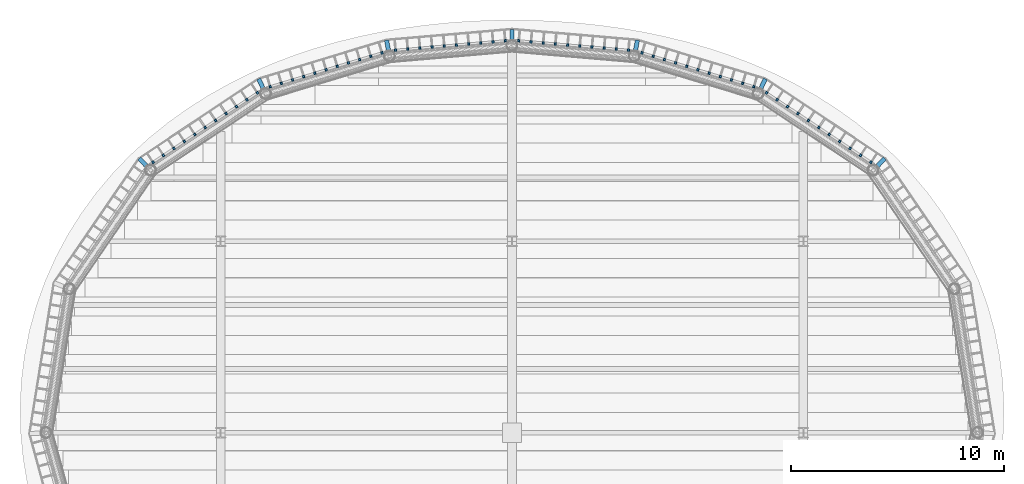
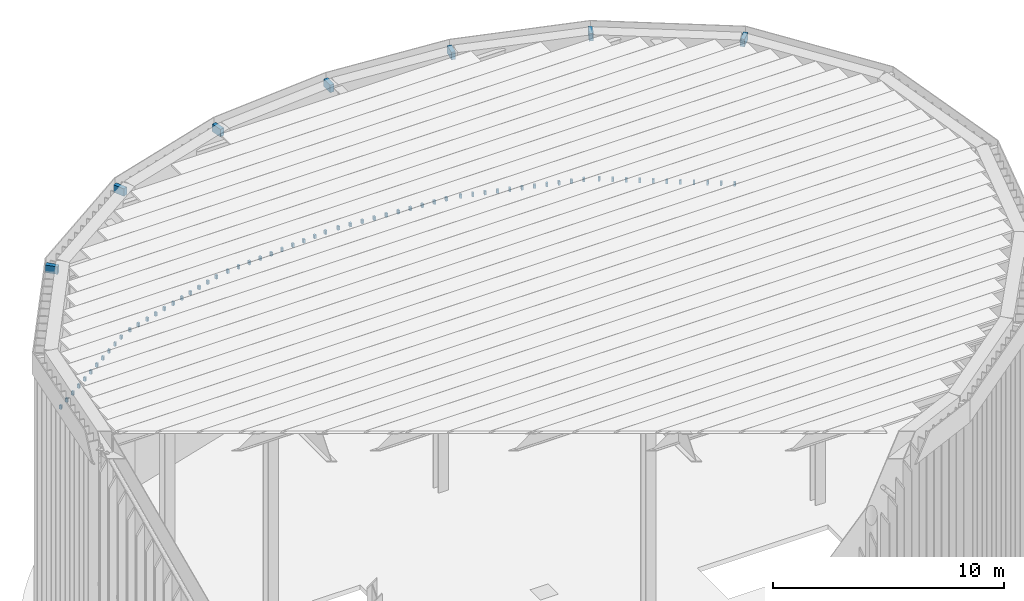
# One storey, part 8 of 11: 71 discrete accessories.
"""IFC4 building model written with IfcOpenShell, lengths in metres."""

from ifc_helpers import new_model, si_unit, direction, frame, origin, origin_2d, place, context, subcontext, project, spatial, rectangle, extrude, material, type_object, element, save


model = new_model("IFC4")

# Units and contexts
model_context = context("Model", 3, precision=1e-05, world=origin(), true_north=direction((0.0, 1.0)))
body_context = subcontext(model_context, "Body", "Model", "MODEL_VIEW")
ifc_project = project(units=[si_unit("LENGTHUNIT", "METRE"), si_unit("AREAUNIT", "SQUARE_METRE"), si_unit("VOLUMEUNIT", "CUBIC_METRE"), si_unit("PLANEANGLEUNIT", "RADIAN"), si_unit("MASSUNIT", "GRAM", prefix="KILO")], contexts=[model_context])

# Site, building, storey
site_placement = place(None, origin())
site = spatial("IfcSite", under=ifc_project, at=site_placement, CompositionType="ELEMENT")
building_placement = place(site_placement, origin())
building = spatial("IfcBuilding", under=site, at=building_placement, Name="Marramba Exchange Tower", CompositionType="ELEMENT")
storey_placement = place(building_placement, frame((0.0, 0.0, 282.0)))
storey = spatial("IfcBuildingStorey", under=building, at=storey_placement, Name="Roof crown", CompositionType="ELEMENT", Elevation=282.0)

# Discrete accessories
ifc_material = material(Name="Steel bracket, hot-dip galvanised", Category="steel")
discrete_accessory_type_1 = type_object("IfcDiscreteAccessoryType", Name="CROWN CAP PANEL BRACKET 200x400", PredefinedType="BRACKET", material=ifc_material)
discrete_accessory_1_placement = place(storey_placement, frame((17.329833984375, 12.689453125, 15.300048828125), z_axis=(0.0, 0.0, 1.0), x_axis=(0.702468932962, 0.711714407767, 0.0)))
element("IfcDiscreteAccessory", 1, at=discrete_accessory_1_placement, inside=storey, type_object=discrete_accessory_type_1, Name="Crown cap panel bracket CB2 at post CF03", PredefinedType="BRACKET", context=body_context, shape_type="SweptSolid", body=[
    extrude(rectangle(XDim=0.568359375, YDim=0.199951171875, at=origin_2d()), origin(), (0.0, 0.0, 1.0), 0.39990234375),
])
discrete_accessory_2_placement = place(storey_placement, frame((11.788818359375, 16.379638671875, 15.300048828125), z_axis=(0.0, 0.0, 1.0), x_axis=(0.426919119296, 0.904289812825, 0.0)))
element("IfcDiscreteAccessory", 2, at=discrete_accessory_2_placement, inside=storey, type_object=discrete_accessory_type_1, Name="Crown cap panel bracket CB2 at post CF04", PredefinedType="BRACKET", context=body_context, shape_type="SweptSolid", body=[
    extrude(rectangle(XDim=0.56494140625, YDim=0.199951171875, at=origin_2d()), origin(), (0.0, 0.0, 1.0), 0.39990234375),
])
discrete_accessory_3_placement = place(storey_placement, frame((5.84521484375, 18.182861328125, 15.300048828125), z_axis=(0.0, 0.0, 1.0), x_axis=(0.189096059973, 0.981958593884, 0.0)))
element("IfcDiscreteAccessory", 3, at=discrete_accessory_3_placement, inside=storey, type_object=discrete_accessory_type_1, Name="Crown cap panel bracket CB2 at post CF05", PredefinedType="BRACKET", context=body_context, shape_type="SweptSolid", body=[
    extrude(rectangle(XDim=0.5625, YDim=0.199951171875, at=origin_2d()), origin(), (0.0, 0.0, 1.0), 0.39990234375),
])
discrete_accessory_4_placement = place(storey_placement, frame((0.0, 18.68603515625, 15.300048828125), z_axis=(0.0, 0.0, 1.0), x_axis=(0.0, 1.0, 0.0)))
element("IfcDiscreteAccessory", 4, at=discrete_accessory_4_placement, inside=storey, type_object=discrete_accessory_type_1, Name="Crown cap panel bracket CB2 at post CF06", PredefinedType="BRACKET", context=body_context, shape_type="SweptSolid", body=[
    extrude(rectangle(XDim=0.561767578125, YDim=0.199951171875, at=origin_2d()), origin(), (0.0, 0.0, 1.0), 0.39990234375),
])
discrete_accessory_5_placement = place(storey_placement, frame((-5.84521484375, 18.182861328125, 15.300048828125), z_axis=(0.0, 0.0, 1.0), x_axis=(-0.189096059973, 0.981958593884, 0.0)))
element("IfcDiscreteAccessory", 5, at=discrete_accessory_5_placement, inside=storey, type_object=discrete_accessory_type_1, Name="Crown cap panel bracket CB2 at post CF07", PredefinedType="BRACKET", context=body_context, shape_type="SweptSolid", body=[
    extrude(rectangle(XDim=0.5625, YDim=0.199951171875, at=origin_2d()), origin(), (0.0, 0.0, 1.0), 0.39990234375),
])
discrete_accessory_6_placement = place(storey_placement, frame((-11.788818359375, 16.379638671875, 15.300048828125), z_axis=(0.0, 0.0, 1.0), x_axis=(-0.426919119296, 0.904289812825, 0.0)))
element("IfcDiscreteAccessory", 6, at=discrete_accessory_6_placement, inside=storey, type_object=discrete_accessory_type_1, Name="Crown cap panel bracket CB2 at post CF08", PredefinedType="BRACKET", context=body_context, shape_type="SweptSolid", body=[
    extrude(rectangle(XDim=0.56494140625, YDim=0.199951171875, at=origin_2d()), origin(), (0.0, 0.0, 1.0), 0.39990234375),
])
discrete_accessory_7_placement = place(storey_placement, frame((-17.329833984375, 12.689453125, 15.300048828125), z_axis=(0.0, 0.0, 1.0), x_axis=(-0.702468932962, 0.711714407767, 0.0)))
element("IfcDiscreteAccessory", 7, at=discrete_accessory_7_placement, inside=storey, type_object=discrete_accessory_type_1, Name="Crown cap panel bracket CB2 at post CF09", PredefinedType="BRACKET", context=body_context, shape_type="SweptSolid", body=[
    extrude(rectangle(XDim=0.568359375, YDim=0.199951171875, at=origin_2d()), origin(), (0.0, 0.0, 1.0), 0.39990234375),
])
discrete_accessory_type_2 = type_object("IfcDiscreteAccessoryType", Name="CROWN SCREEN FIN BRACKET 100x200", PredefinedType="BRACKET", material=ifc_material)
for number, where, z_axis, x_axis, name in (
    (8, (16.87548828125, 12.716552734375, 7.89990234375), (0.0, 0.0, 1.0), (-0.832289090092, 0.554341835435, 0.0), "Crown screen fin bracket CB1 bay 03 fin 01"),
    (9, (16.385009765625, 13.043212890625, 7.89990234375), (0.0, 0.0, 1.0), (-0.832289090092, 0.554341835435, 0.0), "Crown screen fin bracket CB1 bay 03 fin 02"),
    (10, (15.89453125, 13.369873046875, 7.89990234375), (0.0, 0.0, 1.0), (-0.832289090092, 0.554341835435, 0.0), "Crown screen fin bracket CB1 bay 03 fin 03"),
    (11, (15.404052734375, 13.696533203125, 7.89990234375), (0.0, 0.0, 1.0), (-0.832289090092, 0.554341835435, 0.0), "Crown screen fin bracket CB1 bay 03 fin 04"),
    (12, (14.91357421875, 14.0234375, 7.89990234375), (0.0, 0.0, 1.0), (-0.832289090092, 0.554341835435, 0.0), "Crown screen fin bracket CB1 bay 03 fin 05"),
    (13, (14.423095703125, 14.35009765625, 7.89990234375), (0.0, 0.0, 1.0), (-0.832289090092, 0.554341835435, 0.0), "Crown screen fin bracket CB1 bay 03 fin 06"),
    (14, (13.9326171875, 14.6767578125, 7.89990234375), (0.0, 0.0, 1.0), (-0.832289090092, 0.554341835435, 0.0), "Crown screen fin bracket CB1 bay 03 fin 07"),
    (15, (13.442138671875, 15.00341796875, 7.89990234375), (0.0, 0.0, 1.0), (-0.832289090092, 0.554341835435, 0.0), "Crown screen fin bracket CB1 bay 03 fin 08"),
    (16, (12.951416015625, 15.330078125, 7.89990234375), (0.0, 0.0, 1.0), (-0.832289090092, 0.554341835435, 0.0), "Crown screen fin bracket CB1 bay 03 fin 09"),
    (17, (12.4609375, 15.65673828125, 7.89990234375), (0.0, 0.0, 1.0), (-0.832289090092, 0.554341835435, 0.0), "Crown screen fin bracket CB1 bay 03 fin 10"),
    (18, (11.970458984375, 15.9833984375, 7.89990234375), (0.0, 0.0, 1.0), (-0.832289090092, 0.554341835435, 0.0), "Crown screen fin bracket CB1 bay 03 fin 11"),
    (19, (11.367431640625, 16.268310546875, 7.89990234375), (0.0, 0.0, 1.0), (-0.956920052504, 0.29035153369, 0.0), "Crown screen fin bracket CB1 bay 04 fin 01"),
    (20, (10.842041015625, 16.427734375, 7.89990234375), (0.0, 0.0, 1.0), (-0.956920052504, 0.29035153369, 0.0), "Crown screen fin bracket CB1 bay 04 fin 02"),
    (21, (10.316650390625, 16.587158203125, 7.89990234375), (0.0, 0.0, 1.0), (-0.956920052504, 0.29035153369, 0.0), "Crown screen fin bracket CB1 bay 04 fin 03"),
    (22, (9.791259765625, 16.746337890625, 7.89990234375), (0.0, 0.0, 1.0), (-0.956920052504, 0.29035153369, 0.0), "Crown screen fin bracket CB1 bay 04 fin 04"),
    (23, (9.26611328125, 16.90576171875, 7.89990234375), (0.0, 0.0, 1.0), (-0.956920052504, 0.29035153369, 0.0), "Crown screen fin bracket CB1 bay 04 fin 05"),
    (24, (8.74072265625, 17.065185546875, 7.89990234375), (0.0, 0.0, 1.0), (-0.956920052504, 0.29035153369, 0.0), "Crown screen fin bracket CB1 bay 04 fin 06"),
    (25, (8.21533203125, 17.224609375, 7.89990234375), (0.0, 0.0, 1.0), (-0.956920052504, 0.29035153369, 0.0), "Crown screen fin bracket CB1 bay 04 fin 07"),
    (26, (7.68994140625, 17.384033203125, 7.89990234375), (0.0, 0.0, 1.0), (-0.956920052504, 0.29035153369, 0.0), "Crown screen fin bracket CB1 bay 04 fin 08"),
    (27, (7.16455078125, 17.54345703125, 7.89990234375), (0.0, 0.0, 1.0), (-0.956920052504, 0.29035153369, 0.0), "Crown screen fin bracket CB1 bay 04 fin 09"),
    (28, (6.639404296875, 17.702880859375, 7.89990234375), (0.0, 0.0, 1.0), (-0.956920052504, 0.29035153369, 0.0), "Crown screen fin bracket CB1 bay 04 fin 10"),
    (29, (6.114013671875, 17.8623046875, 7.89990234375), (0.0, 0.0, 1.0), (-0.956920052504, 0.29035153369, 0.0), "Crown screen fin bracket CB1 bay 04 fin 11"),
    (30, (5.4765625, 17.985107421875, 7.89990234375), (0.0, 0.0, 1.0), (-0.996313819025, 0.085783296854, 0.0), "Crown screen fin bracket CB1 bay 05 fin 01"),
    (31, (4.903564453125, 18.034423828125, 7.89990234375), (0.0, 0.0, 1.0), (-0.996313819025, 0.085783296854, 0.0), "Crown screen fin bracket CB1 bay 05 fin 02"),
    (32, (4.330810546875, 18.083740234375, 7.89990234375), (0.0, 0.0, 1.0), (-0.996313819025, 0.085783296854, 0.0), "Crown screen fin bracket CB1 bay 05 fin 03"),
    (33, (3.7578125, 18.133056640625, 7.89990234375), (0.0, 0.0, 1.0), (-0.996313819025, 0.085783296854, 0.0), "Crown screen fin bracket CB1 bay 05 fin 04"),
    (34, (3.18505859375, 18.182373046875, 7.89990234375), (0.0, 0.0, 1.0), (-0.996313819025, 0.085783296854, 0.0), "Crown screen fin bracket CB1 bay 05 fin 05"),
    (35, (2.612060546875, 18.231689453125, 7.89990234375), (0.0, 0.0, 1.0), (-0.996313819025, 0.085783296854, 0.0), "Crown screen fin bracket CB1 bay 05 fin 06"),
    (36, (2.0390625, 18.281005859375, 7.89990234375), (0.0, 0.0, 1.0), (-0.996313819025, 0.085783296854, 0.0), "Crown screen fin bracket CB1 bay 05 fin 07"),
    (37, (1.46630859375, 18.330322265625, 7.89990234375), (0.0, 0.0, 1.0), (-0.996313819025, 0.085783296854, 0.0), "Crown screen fin bracket CB1 bay 05 fin 08"),
    (38, (0.893310546875, 18.379638671875, 7.89990234375), (0.0, 0.0, 1.0), (-0.996313819025, 0.085783296854, 0.0), "Crown screen fin bracket CB1 bay 05 fin 09"),
    (39, (0.320556640625, 18.428955078125, 7.89990234375), (0.0, 0.0, 1.0), (-0.996313819025, 0.085783296854, 0.0), "Crown screen fin bracket CB1 bay 05 fin 10"),
    (40, (-0.320556640625, 18.428955078125, 7.89990234375), (0.0, 0.0, 1.0), (-0.996313819025, -0.085783296854, 0.0), "Crown screen fin bracket CB1 bay 06 fin 01"),
    (41, (-0.893310546875, 18.379638671875, 7.89990234375), (0.0, 0.0, 1.0), (-0.996313819025, -0.085783296854, 0.0), "Crown screen fin bracket CB1 bay 06 fin 02"),
    (42, (-1.46630859375, 18.330322265625, 7.89990234375), (0.0, 0.0, 1.0), (-0.996313819025, -0.085783296854, 0.0), "Crown screen fin bracket CB1 bay 06 fin 03"),
    (43, (-2.0390625, 18.281005859375, 7.89990234375), (0.0, 0.0, 1.0), (-0.996313819025, -0.085783296854, 0.0), "Crown screen fin bracket CB1 bay 06 fin 04"),
    (44, (-2.612060546875, 18.231689453125, 7.89990234375), (0.0, 0.0, 1.0), (-0.996313819025, -0.085783296854, 0.0), "Crown screen fin bracket CB1 bay 06 fin 05"),
    (45, (-3.18505859375, 18.182373046875, 7.89990234375), (0.0, 0.0, 1.0), (-0.996313819025, -0.085783296854, 0.0), "Crown screen fin bracket CB1 bay 06 fin 06"),
    (46, (-3.7578125, 18.133056640625, 7.89990234375), (0.0, 0.0, 1.0), (-0.996313819025, -0.085783296854, 0.0), "Crown screen fin bracket CB1 bay 06 fin 07"),
    (47, (-4.330810546875, 18.083740234375, 7.89990234375), (0.0, 0.0, 1.0), (-0.996313819025, -0.085783296854, 0.0), "Crown screen fin bracket CB1 bay 06 fin 08"),
    (48, (-4.903564453125, 18.034423828125, 7.89990234375), (0.0, 0.0, 1.0), (-0.996313819025, -0.085783296854, 0.0), "Crown screen fin bracket CB1 bay 06 fin 09"),
    (49, (-5.4765625, 17.985107421875, 7.89990234375), (0.0, 0.0, 1.0), (-0.996313819025, -0.085783296854, 0.0), "Crown screen fin bracket CB1 bay 06 fin 10"),
    (50, (-6.114013671875, 17.8623046875, 7.89990234375), (0.0, 0.0, 1.0), (-0.956920052504, -0.29035153369, 0.0), "Crown screen fin bracket CB1 bay 07 fin 01"),
    (51, (-6.639404296875, 17.702880859375, 7.89990234375), (0.0, 0.0, 1.0), (-0.956920052504, -0.29035153369, 0.0), "Crown screen fin bracket CB1 bay 07 fin 02"),
    (52, (-7.16455078125, 17.54345703125, 7.89990234375), (0.0, 0.0, 1.0), (-0.956920052504, -0.29035153369, 0.0), "Crown screen fin bracket CB1 bay 07 fin 03"),
    (53, (-7.68994140625, 17.384033203125, 7.89990234375), (0.0, 0.0, 1.0), (-0.956920052504, -0.29035153369, 0.0), "Crown screen fin bracket CB1 bay 07 fin 04"),
    (54, (-8.21533203125, 17.224609375, 7.89990234375), (0.0, 0.0, 1.0), (-0.956920052504, -0.29035153369, 0.0), "Crown screen fin bracket CB1 bay 07 fin 05"),
    (55, (-8.74072265625, 17.065185546875, 7.89990234375), (0.0, 0.0, 1.0), (-0.956920052504, -0.29035153369, 0.0), "Crown screen fin bracket CB1 bay 07 fin 06"),
    (56, (-9.26611328125, 16.90576171875, 7.89990234375), (0.0, 0.0, 1.0), (-0.956920052504, -0.29035153369, 0.0), "Crown screen fin bracket CB1 bay 07 fin 07"),
    (57, (-9.791259765625, 16.746337890625, 7.89990234375), (0.0, 0.0, 1.0), (-0.956920052504, -0.29035153369, 0.0), "Crown screen fin bracket CB1 bay 07 fin 08"),
    (58, (-10.316650390625, 16.587158203125, 7.89990234375), (0.0, 0.0, 1.0), (-0.956920052504, -0.29035153369, 0.0), "Crown screen fin bracket CB1 bay 07 fin 09"),
    (59, (-10.842041015625, 16.427734375, 7.89990234375), (0.0, 0.0, 1.0), (-0.956920052504, -0.29035153369, 0.0), "Crown screen fin bracket CB1 bay 07 fin 10"),
    (60, (-11.367431640625, 16.268310546875, 7.89990234375), (0.0, 0.0, 1.0), (-0.956920052504, -0.29035153369, 0.0), "Crown screen fin bracket CB1 bay 07 fin 11"),
    (61, (-11.970458984375, 15.9833984375, 7.89990234375), (0.0, 0.0, 1.0), (-0.832289090092, -0.554341835435, 0.0), "Crown screen fin bracket CB1 bay 08 fin 01"),
    (62, (-12.4609375, 15.65673828125, 7.89990234375), (0.0, 0.0, 1.0), (-0.832289090092, -0.554341835435, 0.0), "Crown screen fin bracket CB1 bay 08 fin 02"),
    (63, (-12.951416015625, 15.330078125, 7.89990234375), (0.0, 0.0, 1.0), (-0.832289090092, -0.554341835435, 0.0), "Crown screen fin bracket CB1 bay 08 fin 03"),
    (64, (-13.442138671875, 15.00341796875, 7.89990234375), (0.0, 0.0, 1.0), (-0.832289090092, -0.554341835435, 0.0), "Crown screen fin bracket CB1 bay 08 fin 04"),
    (65, (-13.9326171875, 14.6767578125, 7.89990234375), (0.0, 0.0, 1.0), (-0.832289090092, -0.554341835435, 0.0), "Crown screen fin bracket CB1 bay 08 fin 05"),
    (66, (-14.423095703125, 14.35009765625, 7.89990234375), (0.0, 0.0, 1.0), (-0.832289090092, -0.554341835435, 0.0), "Crown screen fin bracket CB1 bay 08 fin 06"),
    (67, (-14.91357421875, 14.0234375, 7.89990234375), (0.0, 0.0, 1.0), (-0.832289090092, -0.554341835435, 0.0), "Crown screen fin bracket CB1 bay 08 fin 07"),
    (68, (-15.404052734375, 13.696533203125, 7.89990234375), (0.0, 0.0, 1.0), (-0.832289090092, -0.554341835435, 0.0), "Crown screen fin bracket CB1 bay 08 fin 08"),
    (69, (-15.89453125, 13.369873046875, 7.89990234375), (0.0, 0.0, 1.0), (-0.832289090092, -0.554341835435, 0.0), "Crown screen fin bracket CB1 bay 08 fin 09"),
    (70, (-16.385009765625, 13.043212890625, 7.89990234375), (0.0, 0.0, 1.0), (-0.832289090092, -0.554341835435, 0.0), "Crown screen fin bracket CB1 bay 08 fin 10"),
    (71, (-16.87548828125, 12.716552734375, 7.89990234375), (0.0, 0.0, 1.0), (-0.832289090092, -0.554341835435, 0.0), "Crown screen fin bracket CB1 bay 08 fin 11"),
):
    element("IfcDiscreteAccessory", number, at=place(storey_placement, frame(where, z_axis=z_axis, x_axis=x_axis)), inside=storey, type_object=discrete_accessory_type_2, Name=name, PredefinedType="BRACKET", context=body_context, shape_type="SweptSolid", body=[
        extrude(rectangle(XDim=0.10009765625, YDim=0.11669921875, at=origin_2d()), origin(), (0.0, 0.0, 1.0), 0.199951171875),
    ])

save(model, "model.ifc")
